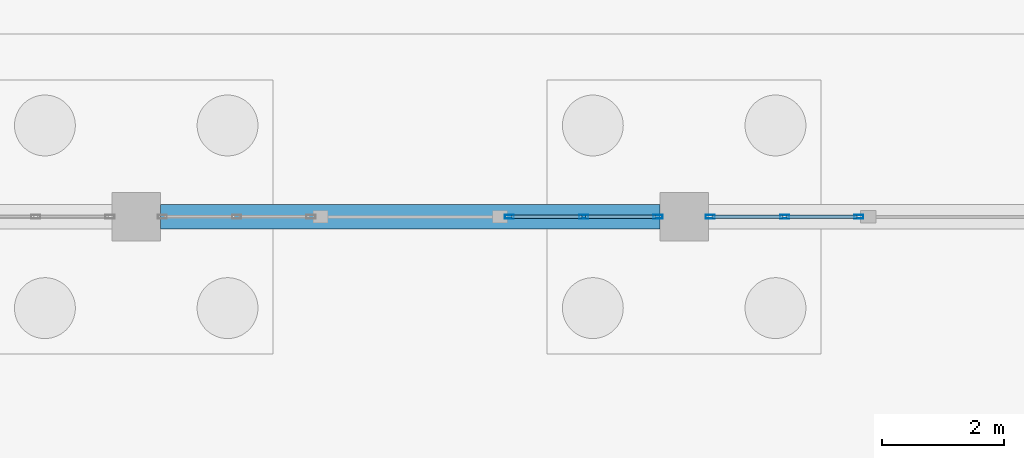
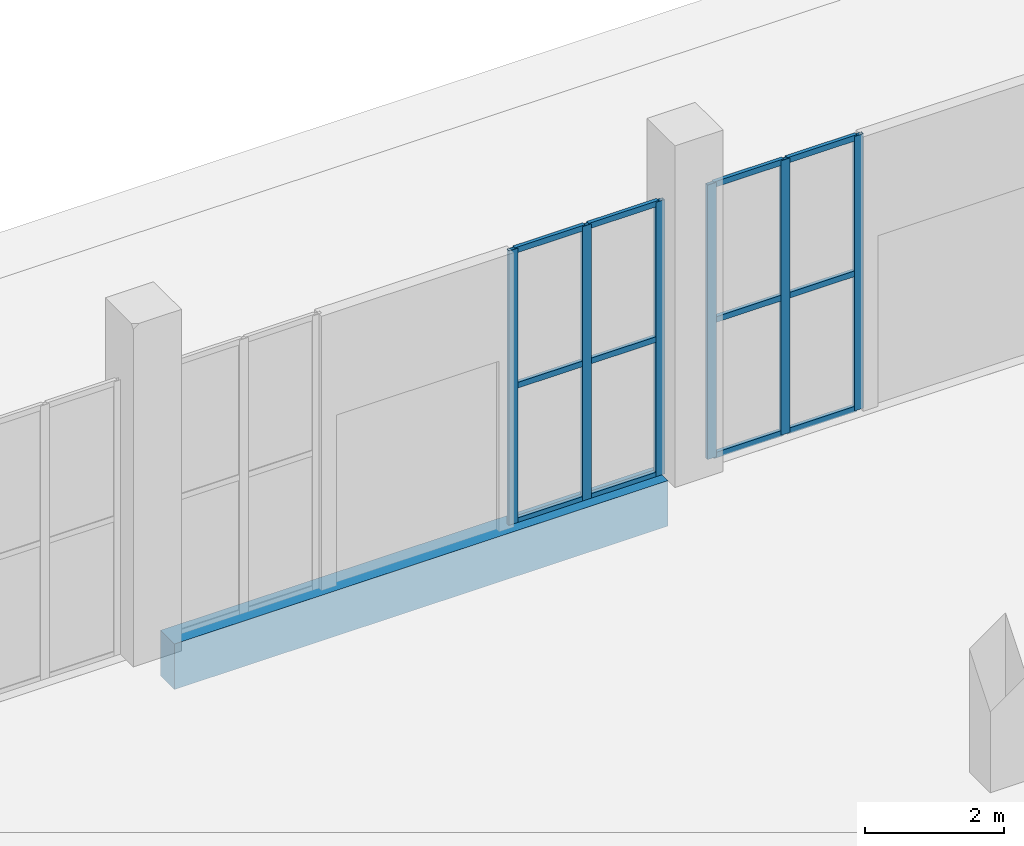
# One storey, part 41 of 198: 18 members, 1 beam, 2 elements without a shape of their own.
"""IFC4 building model written with IfcOpenShell, lengths in metres."""

from ifc_helpers import new_model, si_unit, direction, frame, origin, origin_2d, place, context, subcontext, project, spatial, rectangle, hollow_rectangle, extrude, material, layer, layer_set, material_profile, profile_set, type_object, element, aggregate, save


model = new_model("IFC4")

# Units and contexts
model_context = context("Model", 3, precision=1e-05, world=origin(), true_north=direction((0.0, 1.0)))
body_context = subcontext(model_context, "Body", "Model", "MODEL_VIEW")
ifc_project = project(units=[si_unit("LENGTHUNIT", "METRE"), si_unit("AREAUNIT", "SQUARE_METRE"), si_unit("VOLUMEUNIT", "CUBIC_METRE"), si_unit("PLANEANGLEUNIT", "RADIAN"), si_unit("MASSUNIT", "GRAM", prefix="KILO")], contexts=[model_context])

# Site, building, storey
site_placement = place(None, origin())
site = spatial("IfcSite", under=ifc_project, at=site_placement, CompositionType="ELEMENT")
building_placement = place(site_placement, origin())
building = spatial("IfcBuilding", under=site, at=building_placement, Name="Opaline Strait Convention Centre", CompositionType="ELEMENT")
storey_placement = place(building_placement, origin())
storey = spatial("IfcBuildingStorey", under=building, at=storey_placement, Name="L00", CompositionType="ELEMENT", Elevation=0.0)

# Curtain wall, members
ifc_material_1 = material(Name="Aluminium framed double glazing", Category="aluminium")
ifc_layer = layer(ifc_material_1, 0.199951171875)
ifc_layer_set = layer_set([ifc_layer], Name="Aluminium framed double glazing")
curtain_wall_type = type_object("IfcCurtainWallType", Name="Curtain wall 1250", PredefinedType="NOTDEFINED", material=ifc_layer_set)
curtain_wall_1_placement = place(storey_placement, origin())
curtain_wall_1 = element("IfcCurtainWall", 1, at=curtain_wall_1_placement, inside=storey, type_object=curtain_wall_type, Name="Curtain wall N-36b-L00", PredefinedType="NOTDEFINED")
ifc_material_2 = material(Name="Aluminium alloy 6063", Category="aluminium")
ifc_material_profile_1 = material_profile(ifc_material_2, hollow_rectangle(XDim=0.06005859375, YDim=0.14990234375, WallThickness=0.00390625, at=origin_2d()), Name="MULLION 60x150x4")
ifc_profile_set_1 = profile_set([ifc_material_profile_1], Name="Aluminium alloy 6063")
member_type_1 = type_object("IfcMemberType", Name="Curtain wall mullion 60 x 150", PredefinedType="MULLION", material=ifc_profile_set_1)
member_1_placement = place(storey_placement, frame((42.130126953125, 180.0, 0.0), z_axis=(0.0, 0.0, 1.0), x_axis=(0.0, 1.0, 0.0)))
member_1 = element("IfcMember", 2, at=member_1_placement, type_object=member_type_1, Name="PCW mullion 1", PredefinedType="MULLION", context=body_context, shape_type="SweptSolid", body=[
    extrude(hollow_rectangle(XDim=0.06005859375, YDim=0.14990234375, WallThickness=0.00390625, at=origin_2d()), origin(), (0.0, 0.0, 1.0), 4.820068359375),
])
member_2_placement = place(storey_placement, frame((43.35009765625, 180.0, 0.0), z_axis=(0.0, 0.0, 1.0), x_axis=(0.0, 1.0, 0.0)))
member_2 = element("IfcMember", 3, at=member_2_placement, type_object=member_type_1, Name="PCW mullion 2", PredefinedType="MULLION", context=body_context, shape_type="SweptSolid", body=[
    extrude(hollow_rectangle(XDim=0.06005859375, YDim=0.14990234375, WallThickness=0.00390625, at=origin_2d()), origin(), (0.0, 0.0, 1.0), 4.820068359375),
])
member_3_placement = place(storey_placement, frame((44.570068359375, 180.0, 0.0), z_axis=(0.0, 0.0, 1.0), x_axis=(0.0, 1.0, 0.0)))
member_3 = element("IfcMember", 4, at=member_3_placement, type_object=member_type_1, Name="PCW mullion 3", PredefinedType="MULLION", context=body_context, shape_type="SweptSolid", body=[
    extrude(hollow_rectangle(XDim=0.06005859375, YDim=0.14990234375, WallThickness=0.00390625, at=origin_2d()), origin(), (0.0, 0.0, 1.0), 4.820068359375),
])

curtain_wall_2_placement = place(storey_placement, origin())
curtain_wall_2 = element("IfcCurtainWall", 5, at=curtain_wall_2_placement, inside=storey, type_object=curtain_wall_type, Name="Curtain wall N-45a-L00", PredefinedType="NOTDEFINED")
member_4_placement = place(storey_placement, frame((45.429931640625, 180.0, 0.0), z_axis=(0.0, 0.0, 1.0), x_axis=(0.0, 1.0, 0.0)))
member_4 = element("IfcMember", 6, at=member_4_placement, type_object=member_type_1, Name="PCW mullion 1", PredefinedType="MULLION", context=body_context, shape_type="SweptSolid", body=[
    extrude(hollow_rectangle(XDim=0.06005859375, YDim=0.14990234375, WallThickness=0.00390625, at=origin_2d()), origin(), (0.0, 0.0, 1.0), 4.820068359375),
])
member_5_placement = place(storey_placement, frame((46.64990234375, 180.0, 0.0), z_axis=(0.0, 0.0, 1.0), x_axis=(0.0, 1.0, 0.0)))
member_5 = element("IfcMember", 7, at=member_5_placement, type_object=member_type_1, Name="PCW mullion 2", PredefinedType="MULLION", context=body_context, shape_type="SweptSolid", body=[
    extrude(hollow_rectangle(XDim=0.06005859375, YDim=0.14990234375, WallThickness=0.00390625, at=origin_2d()), origin(), (0.0, 0.0, 1.0), 4.820068359375),
])
member_6_placement = place(storey_placement, frame((47.869873046875, 180.0, 0.0), z_axis=(0.0, 0.0, 1.0), x_axis=(0.0, 1.0, 0.0)))
member_6 = element("IfcMember", 8, at=member_6_placement, type_object=member_type_1, Name="PCW mullion 3", PredefinedType="MULLION", context=body_context, shape_type="SweptSolid", body=[
    extrude(hollow_rectangle(XDim=0.06005859375, YDim=0.14990234375, WallThickness=0.00390625, at=origin_2d()), origin(), (0.0, 0.0, 1.0), 4.820068359375),
])

# Member
ifc_material_profile_2 = material_profile(ifc_material_2, hollow_rectangle(XDim=0.06005859375, YDim=0.10009765625, WallThickness=0.0029296875, at=origin_2d()), Name="TRANSOM 60x100x3")
ifc_profile_set_2 = profile_set([ifc_material_profile_2], Name="Aluminium alloy 6063")
member_type_2 = type_object("IfcMemberType", Name="Curtain wall transom 60 x 100", PredefinedType="USERDEFINED", material=ifc_profile_set_2)
member_7_placement = place(storey_placement, frame((42.16015625, 180.0, 0.030029296875), z_axis=(1.0, 0.0, 0.0), x_axis=(0.0, 1.0, 0.0)))
member_7 = element("IfcMember", 9, at=member_7_placement, type_object=member_type_2, Name="PCW transom 1.1", ObjectType="TRANSOM", PredefinedType="USERDEFINED", context=body_context, shape_type="SweptSolid", body=[
    extrude(hollow_rectangle(XDim=0.06005859375, YDim=0.10009765625, WallThickness=0.0029296875, at=origin_2d()), origin(), (0.0, 0.0, 1.0), 1.159912109375),
])

member_8_placement = place(storey_placement, frame((42.16015625, 180.0, 2.409912109375), z_axis=(1.0, 0.0, 0.0), x_axis=(0.0, 1.0, 0.0)))
member_8 = element("IfcMember", 10, at=member_8_placement, type_object=member_type_2, Name="PCW transom 1.2", ObjectType="TRANSOM", PredefinedType="USERDEFINED", context=body_context, shape_type="SweptSolid", body=[
    extrude(hollow_rectangle(XDim=0.06005859375, YDim=0.10009765625, WallThickness=0.0029296875, at=origin_2d()), origin(), (0.0, 0.0, 1.0), 1.159912109375),
])

member_9_placement = place(storey_placement, frame((42.16015625, 180.0, 4.7900390625), z_axis=(1.0, 0.0, 0.0), x_axis=(0.0, 1.0, 0.0)))
member_9 = element("IfcMember", 11, at=member_9_placement, type_object=member_type_2, Name="PCW transom 1.3", ObjectType="TRANSOM", PredefinedType="USERDEFINED", context=body_context, shape_type="SweptSolid", body=[
    extrude(hollow_rectangle(XDim=0.06005859375, YDim=0.10009765625, WallThickness=0.0029296875, at=origin_2d()), origin(), (0.0, 0.0, 1.0), 1.159912109375),
])

member_10_placement = place(storey_placement, frame((43.380126953125, 180.0, 0.030029296875), z_axis=(1.0, 0.0, 0.0), x_axis=(0.0, 1.0, 0.0)))
member_10 = element("IfcMember", 12, at=member_10_placement, type_object=member_type_2, Name="PCW transom 2.1", ObjectType="TRANSOM", PredefinedType="USERDEFINED", context=body_context, shape_type="SweptSolid", body=[
    extrude(hollow_rectangle(XDim=0.06005859375, YDim=0.10009765625, WallThickness=0.0029296875, at=origin_2d()), origin(), (0.0, 0.0, 1.0), 1.159912109375),
])

member_11_placement = place(storey_placement, frame((43.380126953125, 180.0, 2.409912109375), z_axis=(1.0, 0.0, 0.0), x_axis=(0.0, 1.0, 0.0)))
member_11 = element("IfcMember", 13, at=member_11_placement, type_object=member_type_2, Name="PCW transom 2.2", ObjectType="TRANSOM", PredefinedType="USERDEFINED", context=body_context, shape_type="SweptSolid", body=[
    extrude(hollow_rectangle(XDim=0.06005859375, YDim=0.10009765625, WallThickness=0.0029296875, at=origin_2d()), origin(), (0.0, 0.0, 1.0), 1.159912109375),
])

member_12_placement = place(storey_placement, frame((43.380126953125, 180.0, 4.7900390625), z_axis=(1.0, 0.0, 0.0), x_axis=(0.0, 1.0, 0.0)))
member_12 = element("IfcMember", 14, at=member_12_placement, type_object=member_type_2, Name="PCW transom 2.3", ObjectType="TRANSOM", PredefinedType="USERDEFINED", context=body_context, shape_type="SweptSolid", body=[
    extrude(hollow_rectangle(XDim=0.06005859375, YDim=0.10009765625, WallThickness=0.0029296875, at=origin_2d()), origin(), (0.0, 0.0, 1.0), 1.159912109375),
])

aggregate(curtain_wall_1, [member_1, member_2, member_3, member_7, member_8, member_9, member_10, member_11, member_12])

member_13_placement = place(storey_placement, frame((45.4599609375, 180.0, 0.030029296875), z_axis=(1.0, 0.0, 0.0), x_axis=(0.0, 1.0, 0.0)))
member_13 = element("IfcMember", 15, at=member_13_placement, type_object=member_type_2, Name="PCW transom 1.1", ObjectType="TRANSOM", PredefinedType="USERDEFINED", context=body_context, shape_type="SweptSolid", body=[
    extrude(hollow_rectangle(XDim=0.06005859375, YDim=0.10009765625, WallThickness=0.0029296875, at=origin_2d()), origin(), (0.0, 0.0, 1.0), 1.159912109375),
])

member_14_placement = place(storey_placement, frame((45.4599609375, 180.0, 2.409912109375), z_axis=(1.0, 0.0, 0.0), x_axis=(0.0, 1.0, 0.0)))
member_14 = element("IfcMember", 16, at=member_14_placement, type_object=member_type_2, Name="PCW transom 1.2", ObjectType="TRANSOM", PredefinedType="USERDEFINED", context=body_context, shape_type="SweptSolid", body=[
    extrude(hollow_rectangle(XDim=0.06005859375, YDim=0.10009765625, WallThickness=0.0029296875, at=origin_2d()), origin(), (0.0, 0.0, 1.0), 1.159912109375),
])

member_15_placement = place(storey_placement, frame((45.4599609375, 180.0, 4.7900390625), z_axis=(1.0, 0.0, 0.0), x_axis=(0.0, 1.0, 0.0)))
member_15 = element("IfcMember", 17, at=member_15_placement, type_object=member_type_2, Name="PCW transom 1.3", ObjectType="TRANSOM", PredefinedType="USERDEFINED", context=body_context, shape_type="SweptSolid", body=[
    extrude(hollow_rectangle(XDim=0.06005859375, YDim=0.10009765625, WallThickness=0.0029296875, at=origin_2d()), origin(), (0.0, 0.0, 1.0), 1.159912109375),
])

member_16_placement = place(storey_placement, frame((46.679931640625, 180.0, 0.030029296875), z_axis=(1.0, 0.0, 0.0), x_axis=(0.0, 1.0, 0.0)))
member_16 = element("IfcMember", 18, at=member_16_placement, type_object=member_type_2, Name="PCW transom 2.1", ObjectType="TRANSOM", PredefinedType="USERDEFINED", context=body_context, shape_type="SweptSolid", body=[
    extrude(hollow_rectangle(XDim=0.06005859375, YDim=0.10009765625, WallThickness=0.0029296875, at=origin_2d()), origin(), (0.0, 0.0, 1.0), 1.159912109375),
])

member_17_placement = place(storey_placement, frame((46.679931640625, 180.0, 2.409912109375), z_axis=(1.0, 0.0, 0.0), x_axis=(0.0, 1.0, 0.0)))
member_17 = element("IfcMember", 19, at=member_17_placement, type_object=member_type_2, Name="PCW transom 2.2", ObjectType="TRANSOM", PredefinedType="USERDEFINED", context=body_context, shape_type="SweptSolid", body=[
    extrude(hollow_rectangle(XDim=0.06005859375, YDim=0.10009765625, WallThickness=0.0029296875, at=origin_2d()), origin(), (0.0, 0.0, 1.0), 1.159912109375),
])

member_18_placement = place(storey_placement, frame((46.679931640625, 180.0, 4.7900390625), z_axis=(1.0, 0.0, 0.0), x_axis=(0.0, 1.0, 0.0)))
member_18 = element("IfcMember", 20, at=member_18_placement, type_object=member_type_2, Name="PCW transom 2.3", ObjectType="TRANSOM", PredefinedType="USERDEFINED", context=body_context, shape_type="SweptSolid", body=[
    extrude(hollow_rectangle(XDim=0.06005859375, YDim=0.10009765625, WallThickness=0.0029296875, at=origin_2d()), origin(), (0.0, 0.0, 1.0), 1.159912109375),
])

aggregate(curtain_wall_2, [member_4, member_5, member_6, member_13, member_14, member_15, member_16, member_17, member_18])

# Beam
ifc_material_3 = material(Name="Concrete C35", Category="concrete")
ifc_material_profile_3 = material_profile(ifc_material_3, rectangle(XDim=0.39990234375, YDim=0.800048828125, at=origin_2d()), Name="RC 400x800")
ifc_profile_set_3 = profile_set([ifc_material_profile_3], Name="Concrete C35")
beam_type = type_object("IfcBeamType", Name="RC ground beam 400x800 C35", PredefinedType="BEAM", material=ifc_profile_set_3)
beam_placement = place(storey_placement, frame((36.39990234375, 180.0, -0.39990234375), z_axis=(1.0, 0.0, 0.0), x_axis=(0.0, 1.0, 0.0)))
element("IfcBeam", 21, at=beam_placement, inside=storey, type_object=beam_type, Name="PGB1 ground beam 5/W-6/W", PredefinedType="BEAM", context=body_context, shape_type="SweptSolid", body=[
    extrude(rectangle(XDim=0.39990234375, YDim=0.800048828125, at=origin_2d()), origin(), (0.0, 0.0, 1.0), 8.2001953125),
])

save(model, "model.ifc")
